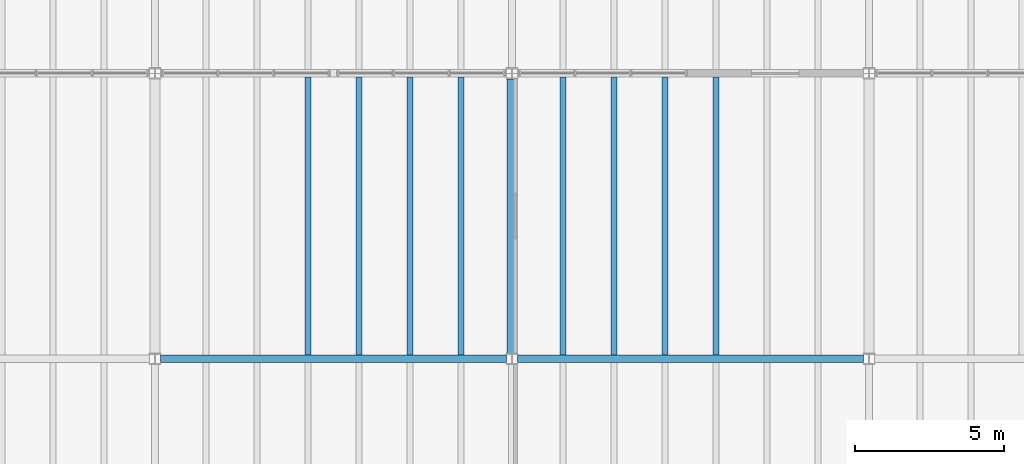
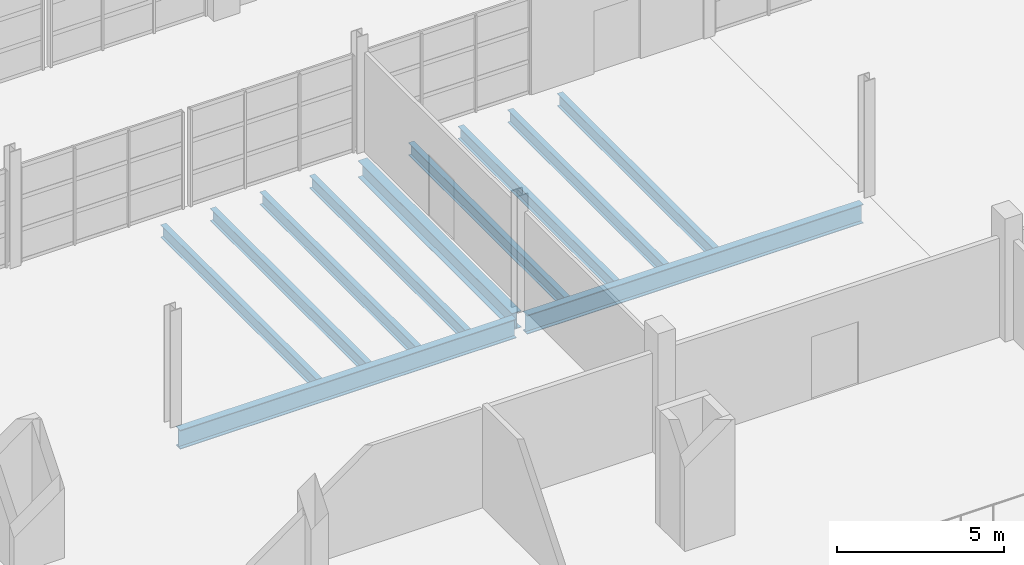
# One storey, part 19 of 114: 11 beams.
"""IFC4 building model written with IfcOpenShell, lengths in metres."""

from ifc_helpers import new_model, si_unit, direction, frame, origin, origin_2d, place, context, subcontext, project, spatial, i_section, extrude, material, material_profile, profile_set, type_object, element, save


model = new_model("IFC4")

# Units and contexts
model_context = context("Model", 3, precision=1e-05, world=origin(), true_north=direction((0.0, 1.0)))
body_context = subcontext(model_context, "Body", "Model", "MODEL_VIEW")
ifc_project = project(units=[si_unit("LENGTHUNIT", "METRE"), si_unit("AREAUNIT", "SQUARE_METRE"), si_unit("VOLUMEUNIT", "CUBIC_METRE"), si_unit("PLANEANGLEUNIT", "RADIAN"), si_unit("MASSUNIT", "GRAM", prefix="KILO")], contexts=[model_context])

# Site, building, storey
site_placement = place(None, origin())
site = spatial("IfcSite", under=ifc_project, at=site_placement, CompositionType="ELEMENT")
building_placement = place(site_placement, origin())
building = spatial("IfcBuilding", under=site, at=building_placement, Name="Kelmvaro Bay Concert Hall", CompositionType="ELEMENT")
storey_placement = place(building_placement, frame((0.0, 0.0, 4.800048828125)))
storey = spatial("IfcBuildingStorey", under=building, at=storey_placement, Name="L01", CompositionType="ELEMENT", Elevation=4.800048828125)

# Beams
ifc_material_1 = material(Name="Steel ASTM A992 Grade 50", Category="steel")
ifc_material_profile_1 = material_profile(ifc_material_1, i_section(OverallWidth=0.323974609375, OverallDepth=0.611083984375, WebThickness=0.0126953125, FlangeThickness=0.01904296875, at=origin_2d()), Name="W24X104")
ifc_profile_set_1 = profile_set([ifc_material_profile_1], Name="Steel ASTM A992 Grade 50")
beam_type_1 = type_object("IfcBeamType", Name="Foyer Frame Girder W24x104", PredefinedType="BEAM", material=ifc_profile_set_1)
beam_placement = place(storey_placement, frame((24.0, 47.58642578125, -0.5556640625), z_axis=(0.0, 1.0, 0.0), x_axis=(-1.0, 0.0, 0.0)))
element("IfcBeam", 1, at=beam_placement, inside=storey, type_object=beam_type_1, Name="L01 Girder BM-L01-NS-0140", PredefinedType="BEAM", context=body_context, shape_type="SweptSolid", body=[
    extrude(i_section(OverallWidth=0.323974609375, OverallDepth=0.611083984375, WebThickness=0.0126953125, FlangeThickness=0.01904296875, at=origin_2d()), origin(), (0.0, 0.0, 1.0), 9.22705078125),
])
ifc_material_2 = material(Name="Steel ASTM A992 Grade 50", Category="steel")
ifc_material_profile_2 = material_profile(ifc_material_2, i_section(OverallWidth=0.256103515625, OverallDepth=0.693115234375, WebThickness=0.014404296875, FlangeThickness=0.023681640625, at=origin_2d()), Name="W27X114")
ifc_profile_set_2 = profile_set([ifc_material_profile_2], Name="Steel ASTM A992 Grade 50")
beam_type_2 = type_object("IfcBeamType", Name="Foyer Primary Girder W27x114", PredefinedType="BEAM", material=ifc_profile_set_2)
for number, where, z_axis, x_axis, name in (
    (2, (12.1865234375, 47.39990234375, -0.596435546875), (1.0, 0.0, 0.0), (0.0, 1.0, 0.0), "L01 Girder BM-L01-EW-0059"),
    (3, (24.1865234375, 47.39990234375, -0.596435546875), (1.0, 0.0, 0.0), (0.0, 1.0, 0.0), "L01 Girder BM-L01-EW-0060"),
):
    element("IfcBeam", number, at=place(storey_placement, frame(where, z_axis=z_axis, x_axis=x_axis)), inside=storey, type_object=beam_type_2, Name=name, PredefinedType="BEAM", context=body_context, shape_type="SweptSolid", body=[
        extrude(i_section(OverallWidth=0.256103515625, OverallDepth=0.693115234375, WebThickness=0.014404296875, FlangeThickness=0.023681640625, at=origin_2d()), origin(), (0.0, 0.0, 1.0), 11.626953125),
    ])
ifc_material_3 = material(Name="Steel ASTM A992 Grade 50", Category="steel")
ifc_material_profile_3 = material_profile(ifc_material_3, i_section(OverallWidth=0.19091796875, OverallDepth=0.45703125, WebThickness=0.009033203125, FlangeThickness=0.014404296875, at=origin_2d()), Name="W18X50")
ifc_profile_set_3 = profile_set([ifc_material_profile_3], Name="Steel ASTM A992 Grade 50")
beam_type_3 = type_object("IfcBeamType", Name="Standard Composite Floor Joist W18x50", PredefinedType="JOIST", material=ifc_profile_set_3)
for number, where, z_axis, x_axis, name in (
    (4, (17.142822265625, 47.528076171875, -0.478515625), (0.0, 1.0, 0.0), (-1.0, 0.0, 0.0), "L01 Floor Joist JST-L01-0468"),
    (5, (18.857177734375, 47.528076171875, -0.478515625), (0.0, 1.0, 0.0), (-1.0, 0.0, 0.0), "L01 Floor Joist JST-L01-0469"),
    (6, (20.5712890625, 47.528076171875, -0.478515625), (0.0, 1.0, 0.0), (-1.0, 0.0, 0.0), "L01 Floor Joist JST-L01-0470"),
    (7, (22.28564453125, 47.528076171875, -0.478515625), (0.0, 1.0, 0.0), (-1.0, 0.0, 0.0), "L01 Floor Joist JST-L01-0471"),
    (8, (25.71435546875, 47.528076171875, -0.478515625), (0.0, 1.0, 0.0), (-1.0, 0.0, 0.0), "L01 Floor Joist JST-L01-0472"),
    (9, (27.4287109375, 47.528076171875, -0.478515625), (0.0, 1.0, 0.0), (-1.0, 0.0, 0.0), "L01 Floor Joist JST-L01-0473"),
    (10, (29.142822265625, 47.528076171875, -0.478515625), (0.0, 1.0, 0.0), (-1.0, 0.0, 0.0), "L01 Floor Joist JST-L01-0474"),
    (11, (30.857177734375, 47.528076171875, -0.478515625), (0.0, 1.0, 0.0), (-1.0, 0.0, 0.0), "L01 Floor Joist JST-L01-0475"),
):
    element("IfcBeam", number, at=place(storey_placement, frame(where, z_axis=z_axis, x_axis=x_axis)), inside=storey, type_object=beam_type_3, Name=name, PredefinedType="JOIST", context=body_context, shape_type="SweptSolid", body=[
        extrude(i_section(OverallWidth=0.19091796875, OverallDepth=0.45703125, WebThickness=0.009033203125, FlangeThickness=0.014404296875, at=origin_2d()), origin(), (0.0, 0.0, 1.0), 9.343994140625),
    ])

save(model, "model.ifc")
